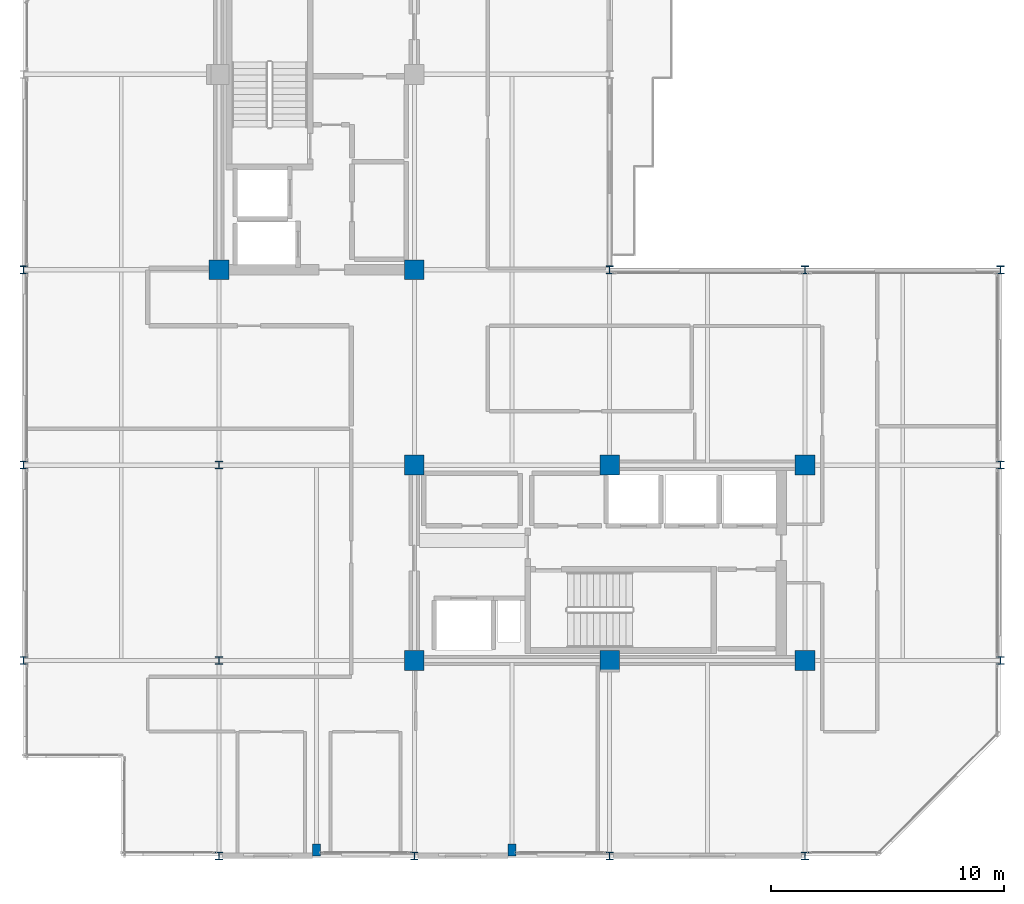
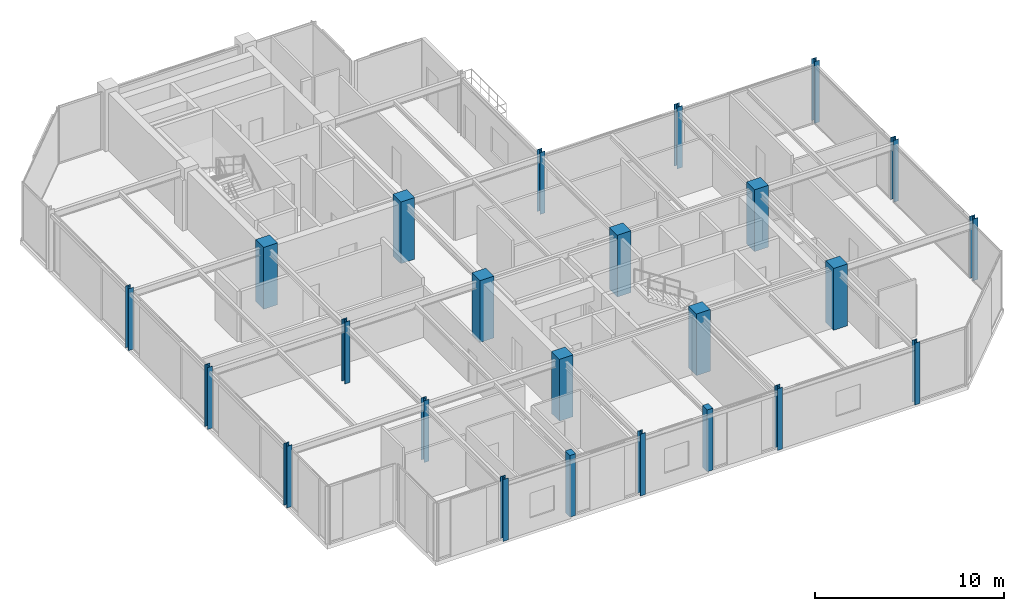
# One storey, part 1 of 26: 24 columns.
"""IFC4 building model written with IfcOpenShell, lengths in metres."""

from ifc_helpers import new_model, si_unit, direction, frame, origin, origin_2d, place, context, subcontext, project, spatial, rectangle, i_section, extrude, material, material_profile, profile_set, type_object, element, save


model = new_model("IFC4")

# Units and contexts
model_context = context("Model", 3, precision=1e-05, world=origin(), true_north=direction((0.0, 1.0)))
body_context = subcontext(model_context, "Body", "Model", "MODEL_VIEW")
ifc_project = project(units=[si_unit("LENGTHUNIT", "METRE"), si_unit("AREAUNIT", "SQUARE_METRE"), si_unit("VOLUMEUNIT", "CUBIC_METRE"), si_unit("PLANEANGLEUNIT", "RADIAN"), si_unit("MASSUNIT", "GRAM", prefix="KILO")], contexts=[model_context])

# Site, building, storey
site_placement = place(None, origin())
site = spatial("IfcSite", under=ifc_project, at=site_placement, CompositionType="ELEMENT")
building_placement = place(site_placement, origin())
building = spatial("IfcBuilding", under=site, at=building_placement, Name="Nerrivon Quay Data Exchange", CompositionType="ELEMENT")
storey_placement = place(building_placement, frame((0.0, 0.0, 250.199951171875)))
storey = spatial("IfcBuildingStorey", under=building, at=storey_placement, Name="L59", CompositionType="ELEMENT", Elevation=250.199951171875)

# Columns
ifc_material_1 = material(Name="Concrete N50 (50 MPa)", Category="concrete")
ifc_material_profile_1 = material_profile(ifc_material_1, rectangle(XDim=0.85009765625, YDim=0.85009765625, at=origin_2d()), Name="RC-COL-850x850")
ifc_profile_set_1 = profile_set([ifc_material_profile_1], Name="Concrete N50 (50 MPa)")
column_type_1 = type_object("IfcColumnType", Name="COL-C5-850", PredefinedType="COLUMN", material=ifc_profile_set_1)
for number, where, z_axis, x_axis, name in (
    (1, (8.39990234375, 25.199951171875, 0.0), (0.0, 0.0, 1.0), (1.0, 0.0, 0.0), "L59 Column (8.4,25.2)"),
    (2, (16.800048828125, 8.39990234375, 0.0), (0.0, 0.0, 1.0), (1.0, 0.0, 0.0), "L59 Column (16.8,8.4)"),
    (3, (16.800048828125, 16.800048828125, 0.0), (0.0, 0.0, 1.0), (1.0, 0.0, 0.0), "L59 Column (16.8,16.8)"),
    (4, (16.800048828125, 25.199951171875, 0.0), (0.0, 0.0, 1.0), (1.0, 0.0, 0.0), "L59 Column (16.8,25.2)"),
    (5, (25.199951171875, 8.39990234375, 0.0), (0.0, 0.0, 1.0), (1.0, 0.0, 0.0), "L59 Column (25.2,8.4)"),
    (6, (25.199951171875, 16.800048828125, 0.0), (0.0, 0.0, 1.0), (1.0, 0.0, 0.0), "L59 Column (25.2,16.8)"),
    (7, (33.60009765625, 8.39990234375, 0.0), (0.0, 0.0, 1.0), (1.0, 0.0, 0.0), "L59 Column (33.6,8.4)"),
    (8, (33.60009765625, 16.800048828125, 0.0), (0.0, 0.0, 1.0), (1.0, 0.0, 0.0), "L59 Column (33.6,16.8)"),
):
    element("IfcColumn", number, at=place(storey_placement, frame(where, z_axis=z_axis, x_axis=x_axis)), inside=storey, type_object=column_type_1, Name=name, PredefinedType="COLUMN", context=body_context, shape_type="SweptSolid", body=[
        extrude(rectangle(XDim=0.85009765625, YDim=0.85009765625, at=origin_2d()), origin(), (0.0, 0.0, 1.0), 4.0),
    ])
ifc_material_2 = material(Name="Steel Grade 350", Category="steel")
ifc_material_profile_2 = material_profile(ifc_material_2, i_section(OverallWidth=0.31103515625, OverallDepth=0.326904296875, WebThickness=0.015625, FlangeThickness=0.02490234375, FilletRadius=0.0166015625, at=origin_2d()), Name="310UC158")
ifc_profile_set_2 = profile_set([ifc_material_profile_2], Name="Steel Grade 350")
column_type_2 = type_object("IfcColumnType", Name="COL-SC4-310UC158", PredefinedType="COLUMN", material=ifc_profile_set_2)
for number, where, z_axis, x_axis, name in (
    (9, (0.0, 8.39990234375, 0.0), (0.0, 0.0, 1.0), (1.0, 0.0, 0.0), "L59 Column (0.0,8.4)"),
    (10, (0.0, 16.800048828125, 0.0), (0.0, 0.0, 1.0), (1.0, 0.0, 0.0), "L59 Column (0.0,16.8)"),
    (11, (0.0, 25.199951171875, 0.0), (0.0, 0.0, 1.0), (1.0, 0.0, 0.0), "L59 Column (0.0,25.2)"),
    (12, (8.39990234375, 0.0, 0.0), (0.0, 0.0, 1.0), (1.0, 0.0, 0.0), "L59 Column (8.4,0.0)"),
    (13, (8.39990234375, 8.39990234375, 0.0), (0.0, 0.0, 1.0), (1.0, 0.0, 0.0), "L59 Column (8.4,8.4)"),
    (14, (8.39990234375, 16.800048828125, 0.0), (0.0, 0.0, 1.0), (1.0, 0.0, 0.0), "L59 Column (8.4,16.8)"),
    (15, (16.800048828125, 0.0, 0.0), (0.0, 0.0, 1.0), (1.0, 0.0, 0.0), "L59 Column (16.8,0.0)"),
    (16, (25.199951171875, 0.0, 0.0), (0.0, 0.0, 1.0), (1.0, 0.0, 0.0), "L59 Column (25.2,0.0)"),
    (17, (25.199951171875, 25.199951171875, 0.0), (0.0, 0.0, 1.0), (1.0, 0.0, 0.0), "L59 Column (25.2,25.2)"),
    (18, (33.60009765625, 0.0, 0.0), (0.0, 0.0, 1.0), (1.0, 0.0, 0.0), "L59 Column (33.6,0.0)"),
    (19, (33.60009765625, 25.199951171875, 0.0), (0.0, 0.0, 1.0), (1.0, 0.0, 0.0), "L59 Column (33.6,25.2)"),
    (20, (42.0, 8.39990234375, 0.0), (0.0, 0.0, 1.0), (1.0, 0.0, 0.0), "L59 Column (42.0,8.4)"),
    (21, (42.0, 16.800048828125, 0.0), (0.0, 0.0, 1.0), (1.0, 0.0, 0.0), "L59 Column (42.0,16.8)"),
    (22, (42.0, 25.199951171875, 0.0), (0.0, 0.0, 1.0), (1.0, 0.0, 0.0), "L59 Column (42.0,25.2)"),
):
    element("IfcColumn", number, at=place(storey_placement, frame(where, z_axis=z_axis, x_axis=x_axis)), inside=storey, type_object=column_type_2, Name=name, PredefinedType="COLUMN", context=body_context, shape_type="SweptSolid", body=[
        extrude(i_section(OverallWidth=0.31103515625, OverallDepth=0.326904296875, WebThickness=0.015625, FlangeThickness=0.02490234375, FilletRadius=0.0166015625, at=origin_2d()), origin(), (0.0, 0.0, 1.0), 4.0),
    ])
ifc_material_profile_3 = material_profile(ifc_material_1, rectangle(XDim=0.35009765625, YDim=0.5, at=origin_2d()), Name="RC-PIL-500x350")
ifc_profile_set_3 = profile_set([ifc_material_profile_3], Name="Concrete N50 (50 MPa)")
column_type_3 = type_object("IfcColumnType", Name="PIL-P2-500x350", PredefinedType="PILASTER", material=ifc_profile_set_3)
for number, where, z_axis, x_axis, name in (
    (23, (12.60009765625, 0.25, 0.0), (0.0, 0.0, 1.0), (1.0, 0.0, 0.0), "L59 Facade Pilaster (12.6)"),
    (24, (21.0, 0.25, 0.0), (0.0, 0.0, 1.0), (1.0, 0.0, 0.0), "L59 Facade Pilaster (21.0)"),
):
    element("IfcColumn", number, at=place(storey_placement, frame(where, z_axis=z_axis, x_axis=x_axis)), inside=storey, type_object=column_type_3, Name=name, PredefinedType="PILASTER", context=body_context, shape_type="SweptSolid", body=[
        extrude(rectangle(XDim=0.35009765625, YDim=0.5, at=origin_2d()), origin(), (0.0, 0.0, 1.0), 4.0),
    ])

save(model, "model.ifc")
